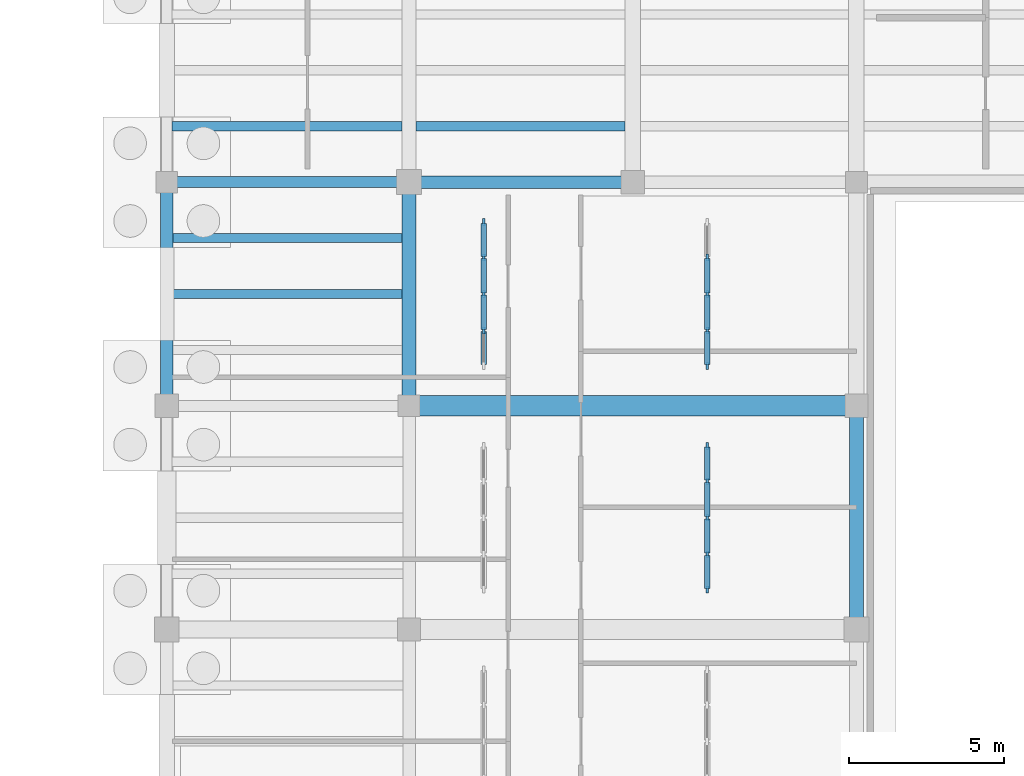
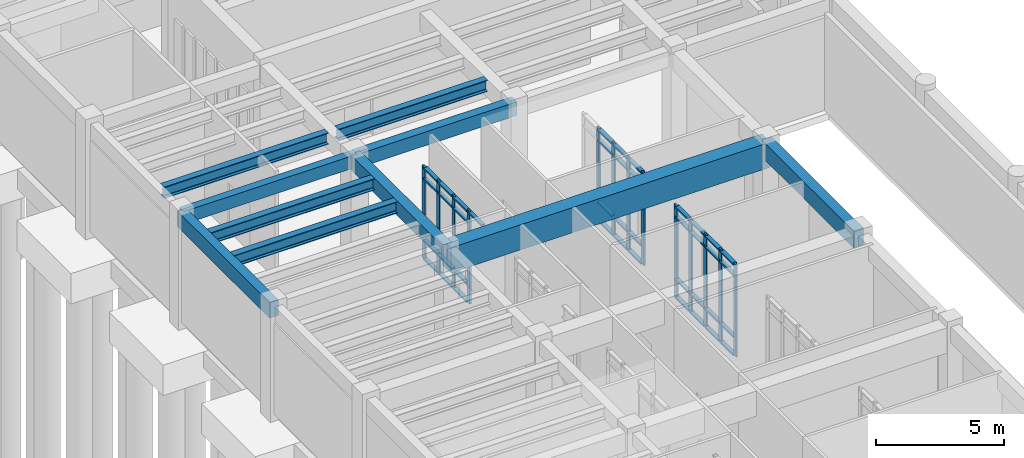
# One storey, part 11 of 100: 54 members, 10 beams, 3 elements without a shape of their own.
"""IFC4 building model written with IfcOpenShell, lengths in metres."""

from ifc_helpers import new_model, si_unit, direction, frame, origin, origin_2d, place, context, subcontext, project, spatial, rectangle, i_section, extrude, material, material_profile, profile_set, type_object, element, aggregate, save


model = new_model("IFC4")

# Units and contexts
model_context = context("Model", 3, precision=1e-05, world=origin(), true_north=direction((0.0, 1.0)))
body_context = subcontext(model_context, "Body", "Model", "MODEL_VIEW")
ifc_project = project(units=[si_unit("LENGTHUNIT", "METRE"), si_unit("AREAUNIT", "SQUARE_METRE"), si_unit("VOLUMEUNIT", "CUBIC_METRE"), si_unit("PLANEANGLEUNIT", "RADIAN"), si_unit("MASSUNIT", "GRAM", prefix="KILO")], contexts=[model_context])

# Site, building, storey
site_placement = place(None, origin())
site = spatial("IfcSite", under=ifc_project, at=site_placement, CompositionType="ELEMENT")
building_placement = place(site_placement, origin())
building = spatial("IfcBuilding", under=site, at=building_placement, Name="Mithqara Police Headquarters", CompositionType="ELEMENT")
storey_placement = place(building_placement, origin())
storey = spatial("IfcBuildingStorey", under=building, at=storey_placement, Name="L00", CompositionType="ELEMENT", Elevation=0.0)

# Beams
ifc_material_1 = material(Name="Steel S355JR", Category="steel")
ifc_material_profile_1 = material_profile(ifc_material_1, i_section(OverallWidth=0.300048828125, OverallDepth=0.550048828125, WebThickness=0.014892578125, FlangeThickness=0.029052734375, FilletRadius=0.027099609375, at=origin_2d()), Name="HEB 550")
ifc_profile_set_1 = profile_set([ifc_material_profile_1], Name="Steel S355JR")
beam_type_1 = type_object("IfcBeamType", Name="BEAM HEB550", PredefinedType="BEAM", material=ifc_profile_set_1)
for number, where, z_axis, x_axis, name in (
    (1, (0.199951171875, 53.39990234375, 4.844970703125), (1.0, 0.0, 0.0), (0.0, 1.0, 0.0), "L00 Composite Steel Joist 1-2/H.2"),
    (2, (0.199951171875, 55.199951171875, 4.844970703125), (1.0, 0.0, 0.0), (0.0, 1.0, 0.0), "L00 Composite Steel Joist 1-2/H.3"),
):
    element("IfcBeam", number, at=place(storey_placement, frame(where, z_axis=z_axis, x_axis=x_axis)), inside=storey, type_object=beam_type_1, Name=name, PredefinedType="BEAM", context=body_context, shape_type="SweptSolid", body=[
        extrude(i_section(OverallWidth=0.300048828125, OverallDepth=0.550048828125, WebThickness=0.014892578125, FlangeThickness=0.029052734375, FilletRadius=0.027099609375, at=origin_2d()), origin(), (0.0, 0.0, 1.0), 7.375),
    ])
beam_1_placement = place(storey_placement, frame((0.175048828125, 58.800048828125, 4.844970703125), z_axis=(1.0, 0.0, 0.0), x_axis=(0.0, 1.0, 0.0)))
element("IfcBeam", 3, at=beam_1_placement, inside=storey, type_object=beam_type_1, Name="L00 Composite Steel Joist 1-2/J.1", PredefinedType="BEAM", context=body_context, shape_type="SweptSolid", body=[
    extrude(i_section(OverallWidth=0.300048828125, OverallDepth=0.550048828125, WebThickness=0.014892578125, FlangeThickness=0.029052734375, FilletRadius=0.027099609375, at=origin_2d()), origin(), (0.0, 0.0, 1.0), 7.39990234375),
])
beam_2_placement = place(storey_placement, frame((8.02490234375, 58.800048828125, 4.844970703125), z_axis=(1.0, 0.0, 0.0), x_axis=(0.0, 1.0, 0.0)))
element("IfcBeam", 4, at=beam_2_placement, inside=storey, type_object=beam_type_1, Name="L00 Composite Steel Joist 2-3/J.1", PredefinedType="BEAM", context=body_context, shape_type="SweptSolid", body=[
    extrude(i_section(OverallWidth=0.300048828125, OverallDepth=0.550048828125, WebThickness=0.014892578125, FlangeThickness=0.029052734375, FilletRadius=0.027099609375, at=origin_2d()), origin(), (0.0, 0.0, 1.0), 6.72509765625),
])
ifc_material_2 = material(Name="Concrete C40/50", Category="concrete")
ifc_material_profile_2 = material_profile(ifc_material_2, rectangle(XDim=0.35009765625, YDim=0.60009765625, at=origin_2d()), Name="RC 350x600")
ifc_profile_set_2 = profile_set([ifc_material_profile_2], Name="Concrete C40/50")
beam_type_2 = type_object("IfcBeamType", Name="BEAM RC350X600", PredefinedType="BEAM", material=ifc_profile_set_2)
beam_3_placement = place(storey_placement, frame((0.0, 57.0, 4.820068359375), z_axis=(1.0, 0.0, 0.0), x_axis=(0.0, 1.0, 0.0)))
element("IfcBeam", 5, at=beam_3_placement, inside=storey, type_object=beam_type_2, Name="L00 Girder 1-2/J", PredefinedType="BEAM", context=body_context, shape_type="SweptSolid", body=[
    extrude(rectangle(XDim=0.35009765625, YDim=0.60009765625, at=origin_2d()), origin(), (0.0, 0.0, 1.0), 7.800048828125),
])
ifc_material_profile_3 = material_profile(ifc_material_2, rectangle(XDim=0.39990234375, YDim=0.64990234375, at=origin_2d()), Name="RC 400x650")
ifc_profile_set_3 = profile_set([ifc_material_profile_3], Name="Concrete C40/50")
beam_type_3 = type_object("IfcBeamType", Name="BEAM RC400X650", PredefinedType="BEAM", material=ifc_profile_set_3)
beam_4_placement = place(storey_placement, frame((7.800048828125, 57.0, 4.794921875), z_axis=(1.0, 0.0, 0.0), x_axis=(0.0, 1.0, 0.0)))
element("IfcBeam", 6, at=beam_4_placement, inside=storey, type_object=beam_type_3, Name="L00 Girder 2-3/J", PredefinedType="BEAM", context=body_context, shape_type="SweptSolid", body=[
    extrude(rectangle(XDim=0.39990234375, YDim=0.64990234375, at=origin_2d()), origin(), (0.0, 0.0, 1.0), 7.199951171875),
])
ifc_material_profile_4 = material_profile(ifc_material_2, rectangle(XDim=0.449951171875, YDim=0.699951171875, at=origin_2d()), Name="RC 450x700")
ifc_profile_set_4 = profile_set([ifc_material_profile_4], Name="Concrete C40/50")
beam_type_4 = type_object("IfcBeamType", Name="BEAM RC450X700", PredefinedType="BEAM", material=ifc_profile_set_4)
beam_5_placement = place(storey_placement, frame((7.800048828125, 49.800048828125, 4.77001953125), z_axis=(0.0, 1.0, 0.0), x_axis=(-1.0, 0.0, 0.0)))
element("IfcBeam", 7, at=beam_5_placement, inside=storey, type_object=beam_type_4, Name="L00 Girder 2/H-J", PredefinedType="BEAM", context=body_context, shape_type="SweptSolid", body=[
    extrude(rectangle(XDim=0.449951171875, YDim=0.699951171875, at=origin_2d()), origin(), (0.0, 0.0, 1.0), 7.199951171875),
])
ifc_material_profile_5 = material_profile(ifc_material_2, rectangle(XDim=0.449951171875, YDim=0.800048828125, at=origin_2d()), Name="RC 450x800")
ifc_profile_set_5 = profile_set([ifc_material_profile_5], Name="Concrete C40/50")
beam_type_5 = type_object("IfcBeamType", Name="BEAM RC450X800", PredefinedType="BEAM", material=ifc_profile_set_5)
beam_6_placement = place(storey_placement, frame((22.199951171875, 42.60009765625, 4.719970703125), z_axis=(0.0, 1.0, 0.0), x_axis=(-1.0, 0.0, 0.0)))
element("IfcBeam", 8, at=beam_6_placement, inside=storey, type_object=beam_type_5, Name="L00 Girder 4/G-H", PredefinedType="BEAM", context=body_context, shape_type="SweptSolid", body=[
    extrude(rectangle(XDim=0.449951171875, YDim=0.800048828125, at=origin_2d()), origin(), (0.0, 0.0, 1.0), 7.199951171875),
])

# Curtain wall, members
ifc_material_3 = material(Name="Bronze anodised aluminium 6063-T6", Category="aluminium")
curtain_wall_type = type_object("IfcCurtainWallType", Name="CURTAIN WALL 4700X4400", PredefinedType="USERDEFINED", material=ifc_material_3)
curtain_wall_1_placement = place(storey_placement, origin())
curtain_wall_1 = element("IfcCurtainWall", 9, at=curtain_wall_1_placement, inside=storey, type_object=curtain_wall_type, Name="L00 Unitised Glazing CW-14 (CW-INT-L00-X01-Y07-0)", ObjectType="UNITISED GLAZING", PredefinedType="USERDEFINED")
ifc_material_profile_6 = material_profile(ifc_material_3, rectangle(XDim=0.074951171875, YDim=0.219970703125, at=origin_2d()), Name="CWM 75x220")
ifc_profile_set_6 = profile_set([ifc_material_profile_6], Name="Bronze anodised aluminium 6063-T6")
member_type_1 = type_object("IfcMemberType", Name="CWMULLION 75X220", PredefinedType="MULLION", material=ifc_profile_set_6)
member_1_placement = place(storey_placement, frame((10.199951171875, 52.22509765625, 0.0), z_axis=(0.0, 0.0, 1.0), x_axis=(-1.0, 0.0, 0.0)))
member_1 = element("IfcMember", 10, at=member_1_placement, type_object=member_type_1, Name="CW-14 mullion 2", PredefinedType="MULLION", context=body_context, shape_type="SweptSolid", body=[
    extrude(rectangle(XDim=0.074951171875, YDim=0.219970703125, at=origin_2d()), origin(), (0.0, 0.0, 1.0), 4.39990234375),
])
member_2_placement = place(storey_placement, frame((10.199951171875, 53.39990234375, 0.0), z_axis=(0.0, 0.0, 1.0), x_axis=(-1.0, 0.0, 0.0)))
member_2 = element("IfcMember", 11, at=member_2_placement, type_object=member_type_1, Name="CW-14 mullion 3", PredefinedType="MULLION", context=body_context, shape_type="SweptSolid", body=[
    extrude(rectangle(XDim=0.074951171875, YDim=0.219970703125, at=origin_2d()), origin(), (0.0, 0.0, 1.0), 4.39990234375),
])
member_3_placement = place(storey_placement, frame((10.199951171875, 54.574951171875, 0.0), z_axis=(0.0, 0.0, 1.0), x_axis=(-1.0, 0.0, 0.0)))
member_3 = element("IfcMember", 12, at=member_3_placement, type_object=member_type_1, Name="CW-14 mullion 4", PredefinedType="MULLION", context=body_context, shape_type="SweptSolid", body=[
    extrude(rectangle(XDim=0.074951171875, YDim=0.219970703125, at=origin_2d()), origin(), (0.0, 0.0, 1.0), 4.39990234375),
])
member_4_placement = place(storey_placement, frame((10.199951171875, 55.71240234375, 0.0), z_axis=(0.0, 0.0, 1.0), x_axis=(-1.0, 0.0, 0.0)))
member_4 = element("IfcMember", 13, at=member_4_placement, type_object=member_type_1, Name="CW-14 mullion 5", PredefinedType="MULLION", context=body_context, shape_type="SweptSolid", body=[
    extrude(rectangle(XDim=0.074951171875, YDim=0.219970703125, at=origin_2d()), origin(), (0.0, 0.0, 1.0), 4.39990234375),
])

curtain_wall_2_placement = place(storey_placement, origin())
curtain_wall_2 = element("IfcCurtainWall", 14, at=curtain_wall_2_placement, inside=storey, type_object=curtain_wall_type, Name="L00 Unitised Glazing CW-14 (CW-INT-L00-X02-Y06-0)", ObjectType="UNITISED GLAZING", PredefinedType="USERDEFINED")
member_5_placement = place(storey_placement, frame((17.39990234375, 43.887451171875, 0.0), z_axis=(0.0, 0.0, 1.0), x_axis=(-1.0, 0.0, 0.0)))
member_5 = element("IfcMember", 15, at=member_5_placement, type_object=member_type_1, Name="CW-14 mullion 1", PredefinedType="MULLION", context=body_context, shape_type="SweptSolid", body=[
    extrude(rectangle(XDim=0.074951171875, YDim=0.219970703125, at=origin_2d()), origin(), (0.0, 0.0, 1.0), 4.39990234375),
])
member_6_placement = place(storey_placement, frame((17.39990234375, 45.02490234375, 0.0), z_axis=(0.0, 0.0, 1.0), x_axis=(-1.0, 0.0, 0.0)))
member_6 = element("IfcMember", 16, at=member_6_placement, type_object=member_type_1, Name="CW-14 mullion 2", PredefinedType="MULLION", context=body_context, shape_type="SweptSolid", body=[
    extrude(rectangle(XDim=0.074951171875, YDim=0.219970703125, at=origin_2d()), origin(), (0.0, 0.0, 1.0), 4.39990234375),
])
member_7_placement = place(storey_placement, frame((17.39990234375, 46.199951171875, 0.0), z_axis=(0.0, 0.0, 1.0), x_axis=(-1.0, 0.0, 0.0)))
member_7 = element("IfcMember", 17, at=member_7_placement, type_object=member_type_1, Name="CW-14 mullion 3", PredefinedType="MULLION", context=body_context, shape_type="SweptSolid", body=[
    extrude(rectangle(XDim=0.074951171875, YDim=0.219970703125, at=origin_2d()), origin(), (0.0, 0.0, 1.0), 4.39990234375),
])
member_8_placement = place(storey_placement, frame((17.39990234375, 47.375, 0.0), z_axis=(0.0, 0.0, 1.0), x_axis=(-1.0, 0.0, 0.0)))
member_8 = element("IfcMember", 18, at=member_8_placement, type_object=member_type_1, Name="CW-14 mullion 4", PredefinedType="MULLION", context=body_context, shape_type="SweptSolid", body=[
    extrude(rectangle(XDim=0.074951171875, YDim=0.219970703125, at=origin_2d()), origin(), (0.0, 0.0, 1.0), 4.39990234375),
])
member_9_placement = place(storey_placement, frame((17.39990234375, 48.512451171875, 0.0), z_axis=(0.0, 0.0, 1.0), x_axis=(-1.0, 0.0, 0.0)))
member_9 = element("IfcMember", 19, at=member_9_placement, type_object=member_type_1, Name="CW-14 mullion 5", PredefinedType="MULLION", context=body_context, shape_type="SweptSolid", body=[
    extrude(rectangle(XDim=0.074951171875, YDim=0.219970703125, at=origin_2d()), origin(), (0.0, 0.0, 1.0), 4.39990234375),
])

curtain_wall_3_placement = place(storey_placement, origin())
curtain_wall_3 = element("IfcCurtainWall", 20, at=curtain_wall_3_placement, inside=storey, type_object=curtain_wall_type, Name="L00 Unitised Glazing CW-14 (CW-INT-L00-X02-Y07-0)", ObjectType="UNITISED GLAZING", PredefinedType="USERDEFINED")
member_10_placement = place(storey_placement, frame((17.39990234375, 51.08740234375, 0.0), z_axis=(0.0, 0.0, 1.0), x_axis=(-1.0, 0.0, 0.0)))
member_10 = element("IfcMember", 21, at=member_10_placement, type_object=member_type_1, Name="CW-14 mullion 1", PredefinedType="MULLION", context=body_context, shape_type="SweptSolid", body=[
    extrude(rectangle(XDim=0.074951171875, YDim=0.219970703125, at=origin_2d()), origin(), (0.0, 0.0, 1.0), 4.39990234375),
])
member_11_placement = place(storey_placement, frame((17.39990234375, 52.22509765625, 0.0), z_axis=(0.0, 0.0, 1.0), x_axis=(-1.0, 0.0, 0.0)))
member_11 = element("IfcMember", 22, at=member_11_placement, type_object=member_type_1, Name="CW-14 mullion 2", PredefinedType="MULLION", context=body_context, shape_type="SweptSolid", body=[
    extrude(rectangle(XDim=0.074951171875, YDim=0.219970703125, at=origin_2d()), origin(), (0.0, 0.0, 1.0), 4.39990234375),
])
member_12_placement = place(storey_placement, frame((17.39990234375, 53.39990234375, 0.0), z_axis=(0.0, 0.0, 1.0), x_axis=(-1.0, 0.0, 0.0)))
member_12 = element("IfcMember", 23, at=member_12_placement, type_object=member_type_1, Name="CW-14 mullion 3", PredefinedType="MULLION", context=body_context, shape_type="SweptSolid", body=[
    extrude(rectangle(XDim=0.074951171875, YDim=0.219970703125, at=origin_2d()), origin(), (0.0, 0.0, 1.0), 4.39990234375),
])
member_13_placement = place(storey_placement, frame((17.39990234375, 54.574951171875, 0.0), z_axis=(0.0, 0.0, 1.0), x_axis=(-1.0, 0.0, 0.0)))
member_13 = element("IfcMember", 24, at=member_13_placement, type_object=member_type_1, Name="CW-14 mullion 4", PredefinedType="MULLION", context=body_context, shape_type="SweptSolid", body=[
    extrude(rectangle(XDim=0.074951171875, YDim=0.219970703125, at=origin_2d()), origin(), (0.0, 0.0, 1.0), 4.39990234375),
])

# Member
ifc_material_profile_7 = material_profile(ifc_material_3, rectangle(XDim=0.179931640625, YDim=0.074951171875, at=origin_2d()), Name="CWT 180x75")
ifc_profile_set_7 = profile_set([ifc_material_profile_7], Name="Bronze anodised aluminium 6063-T6")
member_type_2 = type_object("IfcMemberType", Name="CWTRANSOM 180X75", PredefinedType="USERDEFINED", material=ifc_profile_set_7)
member_14_placement = place(storey_placement, frame((10.199951171875, 51.125, 4.362548828125), z_axis=(0.0, 1.0, 0.0), x_axis=(-1.0, 0.0, 0.0)))
member_14 = element("IfcMember", 25, at=member_14_placement, type_object=member_type_2, Name="CW-14 transom 1.4", ObjectType="TRANSOM", PredefinedType="USERDEFINED", context=body_context, shape_type="SweptSolid", body=[
    extrude(rectangle(XDim=0.179931640625, YDim=0.074951171875, at=origin_2d()), origin(), (0.0, 0.0, 1.0), 1.0625),
])

member_15_placement = place(storey_placement, frame((10.199951171875, 52.262451171875, 0.03759765625), z_axis=(0.0, 1.0, 0.0), x_axis=(-1.0, 0.0, 0.0)))
member_15 = element("IfcMember", 26, at=member_15_placement, type_object=member_type_2, Name="CW-14 transom 2.1", ObjectType="TRANSOM", PredefinedType="USERDEFINED", context=body_context, shape_type="SweptSolid", body=[
    extrude(rectangle(XDim=0.179931640625, YDim=0.074951171875, at=origin_2d()), origin(), (0.0, 0.0, 1.0), 1.10009765625),
])

member_16_placement = place(storey_placement, frame((10.199951171875, 52.262451171875, 0.89990234375), z_axis=(0.0, 1.0, 0.0), x_axis=(-1.0, 0.0, 0.0)))
member_16 = element("IfcMember", 27, at=member_16_placement, type_object=member_type_2, Name="CW-14 transom 2.2", ObjectType="TRANSOM", PredefinedType="USERDEFINED", context=body_context, shape_type="SweptSolid", body=[
    extrude(rectangle(XDim=0.179931640625, YDim=0.074951171875, at=origin_2d()), origin(), (0.0, 0.0, 1.0), 1.10009765625),
])

member_17_placement = place(storey_placement, frame((10.199951171875, 52.262451171875, 3.85009765625), z_axis=(0.0, 1.0, 0.0), x_axis=(-1.0, 0.0, 0.0)))
member_17 = element("IfcMember", 28, at=member_17_placement, type_object=member_type_2, Name="CW-14 transom 2.3", ObjectType="TRANSOM", PredefinedType="USERDEFINED", context=body_context, shape_type="SweptSolid", body=[
    extrude(rectangle(XDim=0.179931640625, YDim=0.074951171875, at=origin_2d()), origin(), (0.0, 0.0, 1.0), 1.10009765625),
])

member_18_placement = place(storey_placement, frame((10.199951171875, 52.262451171875, 4.362548828125), z_axis=(0.0, 1.0, 0.0), x_axis=(-1.0, 0.0, 0.0)))
member_18 = element("IfcMember", 29, at=member_18_placement, type_object=member_type_2, Name="CW-14 transom 2.4", ObjectType="TRANSOM", PredefinedType="USERDEFINED", context=body_context, shape_type="SweptSolid", body=[
    extrude(rectangle(XDim=0.179931640625, YDim=0.074951171875, at=origin_2d()), origin(), (0.0, 0.0, 1.0), 1.10009765625),
])

member_19_placement = place(storey_placement, frame((10.199951171875, 53.4375, 0.03759765625), z_axis=(0.0, 1.0, 0.0), x_axis=(-1.0, 0.0, 0.0)))
member_19 = element("IfcMember", 30, at=member_19_placement, type_object=member_type_2, Name="CW-14 transom 3.1", ObjectType="TRANSOM", PredefinedType="USERDEFINED", context=body_context, shape_type="SweptSolid", body=[
    extrude(rectangle(XDim=0.179931640625, YDim=0.074951171875, at=origin_2d()), origin(), (0.0, 0.0, 1.0), 1.10009765625),
])

member_20_placement = place(storey_placement, frame((10.199951171875, 53.4375, 0.89990234375), z_axis=(0.0, 1.0, 0.0), x_axis=(-1.0, 0.0, 0.0)))
member_20 = element("IfcMember", 31, at=member_20_placement, type_object=member_type_2, Name="CW-14 transom 3.2", ObjectType="TRANSOM", PredefinedType="USERDEFINED", context=body_context, shape_type="SweptSolid", body=[
    extrude(rectangle(XDim=0.179931640625, YDim=0.074951171875, at=origin_2d()), origin(), (0.0, 0.0, 1.0), 1.10009765625),
])

member_21_placement = place(storey_placement, frame((10.199951171875, 53.4375, 3.85009765625), z_axis=(0.0, 1.0, 0.0), x_axis=(-1.0, 0.0, 0.0)))
member_21 = element("IfcMember", 32, at=member_21_placement, type_object=member_type_2, Name="CW-14 transom 3.3", ObjectType="TRANSOM", PredefinedType="USERDEFINED", context=body_context, shape_type="SweptSolid", body=[
    extrude(rectangle(XDim=0.179931640625, YDim=0.074951171875, at=origin_2d()), origin(), (0.0, 0.0, 1.0), 1.10009765625),
])

member_22_placement = place(storey_placement, frame((10.199951171875, 53.4375, 4.362548828125), z_axis=(0.0, 1.0, 0.0), x_axis=(-1.0, 0.0, 0.0)))
member_22 = element("IfcMember", 33, at=member_22_placement, type_object=member_type_2, Name="CW-14 transom 3.4", ObjectType="TRANSOM", PredefinedType="USERDEFINED", context=body_context, shape_type="SweptSolid", body=[
    extrude(rectangle(XDim=0.179931640625, YDim=0.074951171875, at=origin_2d()), origin(), (0.0, 0.0, 1.0), 1.10009765625),
])

member_23_placement = place(storey_placement, frame((10.199951171875, 54.612548828125, 0.03759765625), z_axis=(0.0, 1.0, 0.0), x_axis=(-1.0, 0.0, 0.0)))
member_23 = element("IfcMember", 34, at=member_23_placement, type_object=member_type_2, Name="CW-14 transom 4.1", ObjectType="TRANSOM", PredefinedType="USERDEFINED", context=body_context, shape_type="SweptSolid", body=[
    extrude(rectangle(XDim=0.179931640625, YDim=0.074951171875, at=origin_2d()), origin(), (0.0, 0.0, 1.0), 1.0625),
])

member_24_placement = place(storey_placement, frame((10.199951171875, 54.612548828125, 0.89990234375), z_axis=(0.0, 1.0, 0.0), x_axis=(-1.0, 0.0, 0.0)))
member_24 = element("IfcMember", 35, at=member_24_placement, type_object=member_type_2, Name="CW-14 transom 4.2", ObjectType="TRANSOM", PredefinedType="USERDEFINED", context=body_context, shape_type="SweptSolid", body=[
    extrude(rectangle(XDim=0.179931640625, YDim=0.074951171875, at=origin_2d()), origin(), (0.0, 0.0, 1.0), 1.0625),
])

member_25_placement = place(storey_placement, frame((10.199951171875, 54.612548828125, 3.85009765625), z_axis=(0.0, 1.0, 0.0), x_axis=(-1.0, 0.0, 0.0)))
member_25 = element("IfcMember", 36, at=member_25_placement, type_object=member_type_2, Name="CW-14 transom 4.3", ObjectType="TRANSOM", PredefinedType="USERDEFINED", context=body_context, shape_type="SweptSolid", body=[
    extrude(rectangle(XDim=0.179931640625, YDim=0.074951171875, at=origin_2d()), origin(), (0.0, 0.0, 1.0), 1.0625),
])

member_26_placement = place(storey_placement, frame((10.199951171875, 54.612548828125, 4.362548828125), z_axis=(0.0, 1.0, 0.0), x_axis=(-1.0, 0.0, 0.0)))
member_26 = element("IfcMember", 37, at=member_26_placement, type_object=member_type_2, Name="CW-14 transom 4.4", ObjectType="TRANSOM", PredefinedType="USERDEFINED", context=body_context, shape_type="SweptSolid", body=[
    extrude(rectangle(XDim=0.179931640625, YDim=0.074951171875, at=origin_2d()), origin(), (0.0, 0.0, 1.0), 1.0625),
])

aggregate(curtain_wall_1, [member_1, member_2, member_3, member_4, member_14, member_15, member_16, member_17, member_18, member_19, member_20, member_21, member_22, member_23, member_24, member_25, member_26])

member_27_placement = place(storey_placement, frame((17.39990234375, 43.925048828125, 0.03759765625), z_axis=(0.0, 1.0, 0.0), x_axis=(-1.0, 0.0, 0.0)))
member_27 = element("IfcMember", 38, at=member_27_placement, type_object=member_type_2, Name="CW-14 transom 1.1", ObjectType="TRANSOM", PredefinedType="USERDEFINED", context=body_context, shape_type="SweptSolid", body=[
    extrude(rectangle(XDim=0.179931640625, YDim=0.074951171875, at=origin_2d()), origin(), (0.0, 0.0, 1.0), 1.0625),
])

member_28_placement = place(storey_placement, frame((17.39990234375, 43.925048828125, 0.89990234375), z_axis=(0.0, 1.0, 0.0), x_axis=(-1.0, 0.0, 0.0)))
member_28 = element("IfcMember", 39, at=member_28_placement, type_object=member_type_2, Name="CW-14 transom 1.2", ObjectType="TRANSOM", PredefinedType="USERDEFINED", context=body_context, shape_type="SweptSolid", body=[
    extrude(rectangle(XDim=0.179931640625, YDim=0.074951171875, at=origin_2d()), origin(), (0.0, 0.0, 1.0), 1.0625),
])

member_29_placement = place(storey_placement, frame((17.39990234375, 43.925048828125, 3.85009765625), z_axis=(0.0, 1.0, 0.0), x_axis=(-1.0, 0.0, 0.0)))
member_29 = element("IfcMember", 40, at=member_29_placement, type_object=member_type_2, Name="CW-14 transom 1.3", ObjectType="TRANSOM", PredefinedType="USERDEFINED", context=body_context, shape_type="SweptSolid", body=[
    extrude(rectangle(XDim=0.179931640625, YDim=0.074951171875, at=origin_2d()), origin(), (0.0, 0.0, 1.0), 1.0625),
])

member_30_placement = place(storey_placement, frame((17.39990234375, 43.925048828125, 4.362548828125), z_axis=(0.0, 1.0, 0.0), x_axis=(-1.0, 0.0, 0.0)))
member_30 = element("IfcMember", 41, at=member_30_placement, type_object=member_type_2, Name="CW-14 transom 1.4", ObjectType="TRANSOM", PredefinedType="USERDEFINED", context=body_context, shape_type="SweptSolid", body=[
    extrude(rectangle(XDim=0.179931640625, YDim=0.074951171875, at=origin_2d()), origin(), (0.0, 0.0, 1.0), 1.0625),
])

member_31_placement = place(storey_placement, frame((17.39990234375, 45.0625, 0.03759765625), z_axis=(0.0, 1.0, 0.0), x_axis=(-1.0, 0.0, 0.0)))
member_31 = element("IfcMember", 42, at=member_31_placement, type_object=member_type_2, Name="CW-14 transom 2.1", ObjectType="TRANSOM", PredefinedType="USERDEFINED", context=body_context, shape_type="SweptSolid", body=[
    extrude(rectangle(XDim=0.179931640625, YDim=0.074951171875, at=origin_2d()), origin(), (0.0, 0.0, 1.0), 1.10009765625),
])

member_32_placement = place(storey_placement, frame((17.39990234375, 45.0625, 0.89990234375), z_axis=(0.0, 1.0, 0.0), x_axis=(-1.0, 0.0, 0.0)))
member_32 = element("IfcMember", 43, at=member_32_placement, type_object=member_type_2, Name="CW-14 transom 2.2", ObjectType="TRANSOM", PredefinedType="USERDEFINED", context=body_context, shape_type="SweptSolid", body=[
    extrude(rectangle(XDim=0.179931640625, YDim=0.074951171875, at=origin_2d()), origin(), (0.0, 0.0, 1.0), 1.10009765625),
])

member_33_placement = place(storey_placement, frame((17.39990234375, 45.0625, 3.85009765625), z_axis=(0.0, 1.0, 0.0), x_axis=(-1.0, 0.0, 0.0)))
member_33 = element("IfcMember", 44, at=member_33_placement, type_object=member_type_2, Name="CW-14 transom 2.3", ObjectType="TRANSOM", PredefinedType="USERDEFINED", context=body_context, shape_type="SweptSolid", body=[
    extrude(rectangle(XDim=0.179931640625, YDim=0.074951171875, at=origin_2d()), origin(), (0.0, 0.0, 1.0), 1.10009765625),
])

member_34_placement = place(storey_placement, frame((17.39990234375, 45.0625, 4.362548828125), z_axis=(0.0, 1.0, 0.0), x_axis=(-1.0, 0.0, 0.0)))
member_34 = element("IfcMember", 45, at=member_34_placement, type_object=member_type_2, Name="CW-14 transom 2.4", ObjectType="TRANSOM", PredefinedType="USERDEFINED", context=body_context, shape_type="SweptSolid", body=[
    extrude(rectangle(XDim=0.179931640625, YDim=0.074951171875, at=origin_2d()), origin(), (0.0, 0.0, 1.0), 1.10009765625),
])

member_35_placement = place(storey_placement, frame((17.39990234375, 46.237548828125, 0.03759765625), z_axis=(0.0, 1.0, 0.0), x_axis=(-1.0, 0.0, 0.0)))
member_35 = element("IfcMember", 46, at=member_35_placement, type_object=member_type_2, Name="CW-14 transom 3.1", ObjectType="TRANSOM", PredefinedType="USERDEFINED", context=body_context, shape_type="SweptSolid", body=[
    extrude(rectangle(XDim=0.179931640625, YDim=0.074951171875, at=origin_2d()), origin(), (0.0, 0.0, 1.0), 1.099853515625),
])

member_36_placement = place(storey_placement, frame((17.39990234375, 46.237548828125, 0.89990234375), z_axis=(0.0, 1.0, 0.0), x_axis=(-1.0, 0.0, 0.0)))
member_36 = element("IfcMember", 47, at=member_36_placement, type_object=member_type_2, Name="CW-14 transom 3.2", ObjectType="TRANSOM", PredefinedType="USERDEFINED", context=body_context, shape_type="SweptSolid", body=[
    extrude(rectangle(XDim=0.179931640625, YDim=0.074951171875, at=origin_2d()), origin(), (0.0, 0.0, 1.0), 1.099853515625),
])

member_37_placement = place(storey_placement, frame((17.39990234375, 46.237548828125, 3.85009765625), z_axis=(0.0, 1.0, 0.0), x_axis=(-1.0, 0.0, 0.0)))
member_37 = element("IfcMember", 48, at=member_37_placement, type_object=member_type_2, Name="CW-14 transom 3.3", ObjectType="TRANSOM", PredefinedType="USERDEFINED", context=body_context, shape_type="SweptSolid", body=[
    extrude(rectangle(XDim=0.179931640625, YDim=0.074951171875, at=origin_2d()), origin(), (0.0, 0.0, 1.0), 1.099853515625),
])

member_38_placement = place(storey_placement, frame((17.39990234375, 46.237548828125, 4.362548828125), z_axis=(0.0, 1.0, 0.0), x_axis=(-1.0, 0.0, 0.0)))
member_38 = element("IfcMember", 49, at=member_38_placement, type_object=member_type_2, Name="CW-14 transom 3.4", ObjectType="TRANSOM", PredefinedType="USERDEFINED", context=body_context, shape_type="SweptSolid", body=[
    extrude(rectangle(XDim=0.179931640625, YDim=0.074951171875, at=origin_2d()), origin(), (0.0, 0.0, 1.0), 1.099853515625),
])

member_39_placement = place(storey_placement, frame((17.39990234375, 47.41259765625, 0.03759765625), z_axis=(0.0, 1.0, 0.0), x_axis=(-1.0, 0.0, 0.0)))
member_39 = element("IfcMember", 50, at=member_39_placement, type_object=member_type_2, Name="CW-14 transom 4.1", ObjectType="TRANSOM", PredefinedType="USERDEFINED", context=body_context, shape_type="SweptSolid", body=[
    extrude(rectangle(XDim=0.179931640625, YDim=0.074951171875, at=origin_2d()), origin(), (0.0, 0.0, 1.0), 1.0625),
])

member_40_placement = place(storey_placement, frame((17.39990234375, 47.41259765625, 0.89990234375), z_axis=(0.0, 1.0, 0.0), x_axis=(-1.0, 0.0, 0.0)))
member_40 = element("IfcMember", 51, at=member_40_placement, type_object=member_type_2, Name="CW-14 transom 4.2", ObjectType="TRANSOM", PredefinedType="USERDEFINED", context=body_context, shape_type="SweptSolid", body=[
    extrude(rectangle(XDim=0.179931640625, YDim=0.074951171875, at=origin_2d()), origin(), (0.0, 0.0, 1.0), 1.0625),
])

member_41_placement = place(storey_placement, frame((17.39990234375, 47.41259765625, 3.85009765625), z_axis=(0.0, 1.0, 0.0), x_axis=(-1.0, 0.0, 0.0)))
member_41 = element("IfcMember", 52, at=member_41_placement, type_object=member_type_2, Name="CW-14 transom 4.3", ObjectType="TRANSOM", PredefinedType="USERDEFINED", context=body_context, shape_type="SweptSolid", body=[
    extrude(rectangle(XDim=0.179931640625, YDim=0.074951171875, at=origin_2d()), origin(), (0.0, 0.0, 1.0), 1.0625),
])

member_42_placement = place(storey_placement, frame((17.39990234375, 47.41259765625, 4.362548828125), z_axis=(0.0, 1.0, 0.0), x_axis=(-1.0, 0.0, 0.0)))
member_42 = element("IfcMember", 53, at=member_42_placement, type_object=member_type_2, Name="CW-14 transom 4.4", ObjectType="TRANSOM", PredefinedType="USERDEFINED", context=body_context, shape_type="SweptSolid", body=[
    extrude(rectangle(XDim=0.179931640625, YDim=0.074951171875, at=origin_2d()), origin(), (0.0, 0.0, 1.0), 1.0625),
])

aggregate(curtain_wall_2, [member_5, member_6, member_7, member_8, member_9, member_27, member_28, member_29, member_30, member_31, member_32, member_33, member_34, member_35, member_36, member_37, member_38, member_39, member_40, member_41, member_42])

member_43_placement = place(storey_placement, frame((17.39990234375, 51.125, 0.03759765625), z_axis=(0.0, 1.0, 0.0), x_axis=(-1.0, 0.0, 0.0)))
member_43 = element("IfcMember", 54, at=member_43_placement, type_object=member_type_2, Name="CW-14 transom 1.1", ObjectType="TRANSOM", PredefinedType="USERDEFINED", context=body_context, shape_type="SweptSolid", body=[
    extrude(rectangle(XDim=0.179931640625, YDim=0.074951171875, at=origin_2d()), origin(), (0.0, 0.0, 1.0), 1.0625),
])

member_44_placement = place(storey_placement, frame((17.39990234375, 51.125, 0.89990234375), z_axis=(0.0, 1.0, 0.0), x_axis=(-1.0, 0.0, 0.0)))
member_44 = element("IfcMember", 55, at=member_44_placement, type_object=member_type_2, Name="CW-14 transom 1.2", ObjectType="TRANSOM", PredefinedType="USERDEFINED", context=body_context, shape_type="SweptSolid", body=[
    extrude(rectangle(XDim=0.179931640625, YDim=0.074951171875, at=origin_2d()), origin(), (0.0, 0.0, 1.0), 1.0625),
])

member_45_placement = place(storey_placement, frame((17.39990234375, 51.125, 3.85009765625), z_axis=(0.0, 1.0, 0.0), x_axis=(-1.0, 0.0, 0.0)))
member_45 = element("IfcMember", 56, at=member_45_placement, type_object=member_type_2, Name="CW-14 transom 1.3", ObjectType="TRANSOM", PredefinedType="USERDEFINED", context=body_context, shape_type="SweptSolid", body=[
    extrude(rectangle(XDim=0.179931640625, YDim=0.074951171875, at=origin_2d()), origin(), (0.0, 0.0, 1.0), 1.0625),
])

member_46_placement = place(storey_placement, frame((17.39990234375, 51.125, 4.362548828125), z_axis=(0.0, 1.0, 0.0), x_axis=(-1.0, 0.0, 0.0)))
member_46 = element("IfcMember", 57, at=member_46_placement, type_object=member_type_2, Name="CW-14 transom 1.4", ObjectType="TRANSOM", PredefinedType="USERDEFINED", context=body_context, shape_type="SweptSolid", body=[
    extrude(rectangle(XDim=0.179931640625, YDim=0.074951171875, at=origin_2d()), origin(), (0.0, 0.0, 1.0), 1.0625),
])

member_47_placement = place(storey_placement, frame((17.39990234375, 52.262451171875, 0.03759765625), z_axis=(0.0, 1.0, 0.0), x_axis=(-1.0, 0.0, 0.0)))
member_47 = element("IfcMember", 58, at=member_47_placement, type_object=member_type_2, Name="CW-14 transom 2.1", ObjectType="TRANSOM", PredefinedType="USERDEFINED", context=body_context, shape_type="SweptSolid", body=[
    extrude(rectangle(XDim=0.179931640625, YDim=0.074951171875, at=origin_2d()), origin(), (0.0, 0.0, 1.0), 1.10009765625),
])

member_48_placement = place(storey_placement, frame((17.39990234375, 52.262451171875, 0.89990234375), z_axis=(0.0, 1.0, 0.0), x_axis=(-1.0, 0.0, 0.0)))
member_48 = element("IfcMember", 59, at=member_48_placement, type_object=member_type_2, Name="CW-14 transom 2.2", ObjectType="TRANSOM", PredefinedType="USERDEFINED", context=body_context, shape_type="SweptSolid", body=[
    extrude(rectangle(XDim=0.179931640625, YDim=0.074951171875, at=origin_2d()), origin(), (0.0, 0.0, 1.0), 1.10009765625),
])

member_49_placement = place(storey_placement, frame((17.39990234375, 52.262451171875, 3.85009765625), z_axis=(0.0, 1.0, 0.0), x_axis=(-1.0, 0.0, 0.0)))
member_49 = element("IfcMember", 60, at=member_49_placement, type_object=member_type_2, Name="CW-14 transom 2.3", ObjectType="TRANSOM", PredefinedType="USERDEFINED", context=body_context, shape_type="SweptSolid", body=[
    extrude(rectangle(XDim=0.179931640625, YDim=0.074951171875, at=origin_2d()), origin(), (0.0, 0.0, 1.0), 1.10009765625),
])

member_50_placement = place(storey_placement, frame((17.39990234375, 52.262451171875, 4.362548828125), z_axis=(0.0, 1.0, 0.0), x_axis=(-1.0, 0.0, 0.0)))
member_50 = element("IfcMember", 61, at=member_50_placement, type_object=member_type_2, Name="CW-14 transom 2.4", ObjectType="TRANSOM", PredefinedType="USERDEFINED", context=body_context, shape_type="SweptSolid", body=[
    extrude(rectangle(XDim=0.179931640625, YDim=0.074951171875, at=origin_2d()), origin(), (0.0, 0.0, 1.0), 1.10009765625),
])

member_51_placement = place(storey_placement, frame((17.39990234375, 53.4375, 0.03759765625), z_axis=(0.0, 1.0, 0.0), x_axis=(-1.0, 0.0, 0.0)))
member_51 = element("IfcMember", 62, at=member_51_placement, type_object=member_type_2, Name="CW-14 transom 3.1", ObjectType="TRANSOM", PredefinedType="USERDEFINED", context=body_context, shape_type="SweptSolid", body=[
    extrude(rectangle(XDim=0.179931640625, YDim=0.074951171875, at=origin_2d()), origin(), (0.0, 0.0, 1.0), 1.10009765625),
])

member_52_placement = place(storey_placement, frame((17.39990234375, 53.4375, 0.89990234375), z_axis=(0.0, 1.0, 0.0), x_axis=(-1.0, 0.0, 0.0)))
member_52 = element("IfcMember", 63, at=member_52_placement, type_object=member_type_2, Name="CW-14 transom 3.2", ObjectType="TRANSOM", PredefinedType="USERDEFINED", context=body_context, shape_type="SweptSolid", body=[
    extrude(rectangle(XDim=0.179931640625, YDim=0.074951171875, at=origin_2d()), origin(), (0.0, 0.0, 1.0), 1.10009765625),
])

member_53_placement = place(storey_placement, frame((17.39990234375, 53.4375, 3.85009765625), z_axis=(0.0, 1.0, 0.0), x_axis=(-1.0, 0.0, 0.0)))
member_53 = element("IfcMember", 64, at=member_53_placement, type_object=member_type_2, Name="CW-14 transom 3.3", ObjectType="TRANSOM", PredefinedType="USERDEFINED", context=body_context, shape_type="SweptSolid", body=[
    extrude(rectangle(XDim=0.179931640625, YDim=0.074951171875, at=origin_2d()), origin(), (0.0, 0.0, 1.0), 1.10009765625),
])

member_54_placement = place(storey_placement, frame((17.39990234375, 53.4375, 4.362548828125), z_axis=(0.0, 1.0, 0.0), x_axis=(-1.0, 0.0, 0.0)))
member_54 = element("IfcMember", 65, at=member_54_placement, type_object=member_type_2, Name="CW-14 transom 3.4", ObjectType="TRANSOM", PredefinedType="USERDEFINED", context=body_context, shape_type="SweptSolid", body=[
    extrude(rectangle(XDim=0.179931640625, YDim=0.074951171875, at=origin_2d()), origin(), (0.0, 0.0, 1.0), 1.10009765625),
])

aggregate(curtain_wall_3, [member_10, member_11, member_12, member_13, member_43, member_44, member_45, member_46, member_47, member_48, member_49, member_50, member_51, member_52, member_53, member_54])

# Beams
ifc_material_profile_8 = material_profile(ifc_material_2, rectangle(XDim=0.39990234375, YDim=0.75, at=origin_2d()), Name="SPB 400x750")
ifc_profile_set_8 = profile_set([ifc_material_profile_8], Name="Concrete C40/50")
beam_type_6 = type_object("IfcBeamType", Name="SPANDREL 400X750", PredefinedType="SPANDREL", material=ifc_profile_set_8)
beam_7_placement = place(storey_placement, frame((0.0, 49.800048828125, 4.7451171875), z_axis=(0.0, 1.0, 0.0), x_axis=(-1.0, 0.0, 0.0)))
element("IfcBeam", 66, at=beam_7_placement, inside=storey, type_object=beam_type_6, Name="L00 Girder 1/H-J", PredefinedType="SPANDREL", context=body_context, shape_type="SweptSolid", body=[
    extrude(rectangle(XDim=0.39990234375, YDim=0.75, at=origin_2d()), origin(), (0.0, 0.0, 1.0), 7.199951171875),
])
ifc_material_4 = material(Name="Concrete C50/60", Category="concrete")
ifc_material_profile_9 = material_profile(ifc_material_4, rectangle(XDim=0.64990234375, YDim=1.199951171875, at=origin_2d()), Name="RC 650x1200")
ifc_profile_set_9 = profile_set([ifc_material_profile_9], Name="Concrete C50/60")
beam_type_7 = type_object("IfcBeamType", Name="TRANSFER RC650X1200", PredefinedType="BEAM", material=ifc_profile_set_9)
beam_8_placement = place(storey_placement, frame((7.800048828125, 49.800048828125, 4.52001953125), z_axis=(1.0, 0.0, 0.0), x_axis=(0.0, 1.0, 0.0)))
element("IfcBeam", 67, at=beam_8_placement, inside=storey, type_object=beam_type_7, Name="L00 Girder 2-4/H", PredefinedType="BEAM", context=body_context, shape_type="SweptSolid", body=[
    extrude(rectangle(XDim=0.64990234375, YDim=1.199951171875, at=origin_2d()), origin(), (0.0, 0.0, 1.0), 14.39990234375),
])

save(model, "model.ifc")
